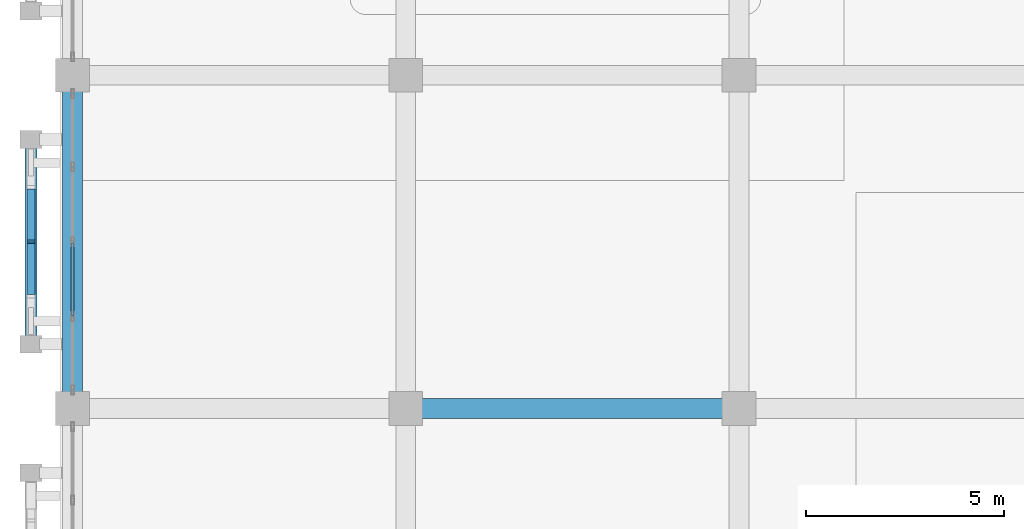
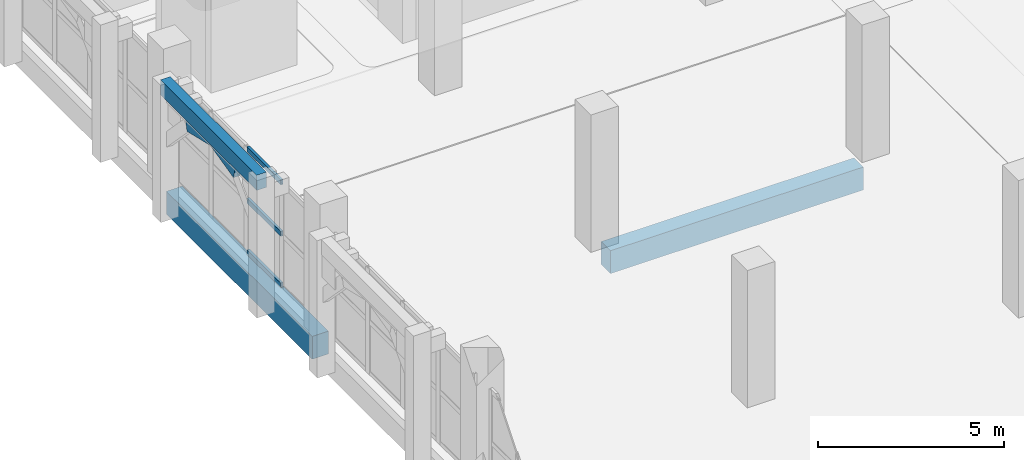
# One storey, part 47 of 137: 5 members, 3 beams, 1 element without a shape of its own.
"""IFC4 building model written with IfcOpenShell, lengths in metres."""

import ifcopenshell
import ifcopenshell.guid

model = None  # the IFC model being written
_history = None  # IfcOwnerHistory: only IFC2X3 demands one
_inside = {}  # id of a spatial element -> (the spatial element, [elements in it])
_under = {}  # id of a project, library or spatial element -> (it, [spatial elements below it])
_declared = {}  # id of a project -> (the project, [libraries it declares])
_typed = {}  # id of a type object -> (the type object, [elements of that type])
_made_of = {}  # id of a material, layer set ... -> (it, [elements and type objects made of it])


def new_model(schema):
    """Start an empty IFC model of exactly this schema.

    Asked for "IFC4X3", IfcOpenShell would pick the latest addendum, in which some entities
    have other attributes; the version numbers below select the first issue.
    IFC2X3 requires an IfcOwnerHistory on every rooted entity: one is made here for all.
    """
    global model, _history
    if schema == "IFC4X3":
        model = ifcopenshell.file(schema_version=(4, 3, 0, 0))
    else:
        model = ifcopenshell.file(schema=schema)
    _inside.clear()
    _under.clear()
    _declared.clear()
    _typed.clear()
    _made_of.clear()
    _history = None
    if model.schema == "IFC2X3":
        org = make("IfcOrganization", Name="unknown")
        user = make(
            "IfcPersonAndOrganization",
            ThePerson=make("IfcPerson", FamilyName="unknown"),
            TheOrganization=org,
        )
        app = make(
            "IfcApplication",
            ApplicationDeveloper=org,
            Version="unknown",
            ApplicationFullName="unknown",
            ApplicationIdentifier="unknown",
        )
        _history = make(
            "IfcOwnerHistory",
            OwningUser=user,
            OwningApplication=app,
            ChangeAction="ADDED",
            CreationDate=0,
        )
    return model


def make(cls, **values):
    """One entity of the class cls with the attributes given. An attribute that is None is left unset."""
    return model.create_entity(
        cls, **{name: value for name, value in values.items() if value is not None}
    )


def rooted(cls, **values):
    """An entity with a GlobalId (a new one), such as an element, a storey or a relation."""
    return make(cls, GlobalId=ifcopenshell.guid.new(), OwnerHistory=_history, **values)


def si_unit(unit_type, name, prefix=None):
    """IfcSIUnit, for example si_unit("LENGTHUNIT", "METRE", prefix="MILLI")."""
    return make("IfcSIUnit", UnitType=unit_type, Prefix=prefix, Name=name)


def assignment(units):
    """IfcUnitAssignment: the units of a project."""
    return None if units is None else make("IfcUnitAssignment", Units=units)


def point(xyz):
    """IfcCartesianPoint."""
    return None if xyz is None else make("IfcCartesianPoint", Coordinates=xyz)


def direction(xyz):
    """IfcDirection."""
    return None if xyz is None else make("IfcDirection", DirectionRatios=xyz)


def frame(location, z_axis=None, x_axis=None):
    """IfcAxis2Placement3D, a coordinate frame: its origin and axes. An axis left out is left unset."""
    return make(
        "IfcAxis2Placement3D",
        Location=point(location),
        Axis=direction(z_axis),
        RefDirection=direction(x_axis),
    )


def frame_2d(location, x_axis=None):
    """IfcAxis2Placement2D, a coordinate frame in the plane: its origin and x axis."""
    return make(
        "IfcAxis2Placement2D", Location=point(location), RefDirection=direction(x_axis)
    )


def origin():
    """The frame at (0, 0, 0) with its axes left unset."""
    return frame((0.0, 0.0, 0.0))


def origin_2d():
    """The frame at (0, 0) in the plane with its x axis left unset."""
    return frame_2d((0.0, 0.0))


def place(relative_to, where):
    """IfcLocalPlacement: puts the frame where relative to a parent placement (None: the world)."""
    return make(
        "IfcLocalPlacement", PlacementRelTo=relative_to, RelativePlacement=where
    )


def context(
    kind, dimensions, precision=None, world=None, true_north=None, identifier=None
):
    """IfcGeometricRepresentationContext, for example the 3D "Model" context."""
    return make(
        "IfcGeometricRepresentationContext",
        ContextIdentifier=identifier,
        ContextType=kind,
        CoordinateSpaceDimension=dimensions,
        Precision=precision,
        WorldCoordinateSystem=world,
        TrueNorth=true_north,
    )


def subcontext(parent, identifier, kind, view, scale=None):
    """IfcGeometricRepresentationSubContext, for example "Body" below "Model"."""
    return make(
        "IfcGeometricRepresentationSubContext",
        ContextIdentifier=identifier,
        ContextType=kind,
        ParentContext=parent,
        TargetScale=scale,
        TargetView=view,
    )


def project(units=None, contexts=None):
    """IfcProject with its units and contexts."""
    return rooted(
        "IfcProject",
        Name="project",
        RepresentationContexts=contexts,
        UnitsInContext=assignment(units),
    )


def spatial(cls, under=None, at=None, **own):
    """A site, building, storey or space (cls), placed at a placement, below another one or the project."""
    s = rooted(cls, ObjectPlacement=at, **own)
    if under is not None:
        _under.setdefault(under.id(), (under, []))[1].append(s)
    return s


def profile(cls, at=None, kind="AREA", **sizes):
    """A parametric profile (cls). Its sizes go by their IFC names, for example OverallWidth=200.0."""
    return make(cls, ProfileType=kind, Position=at, **sizes)


def rectangle(**sizes):
    """IfcRectangleProfileDef."""
    return profile("IfcRectangleProfileDef", **sizes)


def hollow_rectangle(**sizes):
    """IfcRectangleHollowProfileDef."""
    return profile("IfcRectangleHollowProfileDef", **sizes)


def extrude(swept, where, along, depth):
    """IfcExtrudedAreaSolid: the profile swept, set in the frame where, extruded along a direction by depth."""
    return make(
        "IfcExtrudedAreaSolid",
        SweptArea=swept,
        Position=where,
        ExtrudedDirection=direction(along),
        Depth=depth,
    )


def shape(context_of_items, identifier, shape_type, items):
    """IfcShapeRepresentation: the items that make up one representation, for example the "Body"."""
    return make(
        "IfcShapeRepresentation",
        ContextOfItems=context_of_items,
        RepresentationIdentifier=identifier,
        RepresentationType=shape_type,
        Items=items,
    )


def material(Name=None, Category=None):
    """IfcMaterial."""
    return make("IfcMaterial", Name=Name, Category=Category)


def layer(
    of_material, thickness, ventilated=None, Name=None, Category=None, Priority=None
):
    """IfcMaterialLayer: one layer of a wall or slab, of a material (None: an air gap)."""
    return make(
        "IfcMaterialLayer",
        Material=of_material,
        LayerThickness=thickness,
        IsVentilated=ventilated,
        Name=Name,
        Category=Category,
        Priority=Priority,
    )


def layer_set(layers, Name=None):
    """IfcMaterialLayerSet."""
    return make("IfcMaterialLayerSet", MaterialLayers=layers, LayerSetName=Name)


def material_profile(
    of_material, cross_section, Name=None, Category=None, Priority=None
):
    """IfcMaterialProfile: a cross section and its material."""
    return make(
        "IfcMaterialProfile",
        Name=Name,
        Material=of_material,
        Profile=cross_section,
        Priority=Priority,
        Category=Category,
    )


def profile_set(profiles, Name=None, composite=None):
    """IfcMaterialProfileSet."""
    return make(
        "IfcMaterialProfileSet",
        Name=Name,
        MaterialProfiles=profiles,
        CompositeProfile=composite,
    )


def made_of(thing, what):
    """Note that an element or type object is made of a material, layer set ...; save() writes the relation."""
    if what is not None:
        _made_of.setdefault(what.id(), (what, []))[1].append(thing)
    return thing


def type_object(cls, material=None, **own):
    """A type object (cls), such as IfcWallType, which elements share."""
    return made_of(rooted(cls, **own), material)


def element(
    cls,
    number,
    at=None,
    inside=None,
    cuts=None,
    type_object=None,
    material=None,
    context=None,
    identifier="Body",
    shape_type=None,
    held_by="IfcProductDefinitionShape",
    body=None,
    shapes=None,
    **own,
):
    """One element of the class cls, such as IfcWall. Its Tag is "e" and its number.

    at: its placement. inside: the storey or other place that contains it. cuts: it is an
    opening in that element (IfcRelVoidsElement). A single representation is given by context,
    identifier, shape_type and body (its items); several are given by shapes. held_by: the class
    of the entity that holds the representations. save() writes the other relations.
    """
    e = rooted(cls, Tag="e%d" % number, ObjectPlacement=at, **own)
    if body is not None:
        shapes = [shape(context, identifier, shape_type, body)]
    if shapes is not None:
        e.Representation = make(held_by, Representations=shapes)
    if inside is not None:
        _inside.setdefault(inside.id(), (inside, []))[1].append(e)
    if cuts is not None:
        rooted(
            "IfcRelVoidsElement", RelatingBuildingElement=cuts, RelatedOpeningElement=e
        )
    if type_object is not None:
        _typed.setdefault(type_object.id(), (type_object, []))[1].append(e)
    return made_of(e, material)


def aggregate(whole, parts):
    """IfcRelAggregates: a whole, such as a stair, and the parts it consists of."""
    return rooted("IfcRelAggregates", RelatingObject=whole, RelatedObjects=parts)


def save(model, path):
    """Write the relations noted so far, then the file.

    IfcRelAggregates (storeys below a building ...), IfcRelContainedInSpatialStructure (elements
    in a storey), IfcRelDefinesByType, IfcRelAssociatesMaterial and IfcRelDeclares: one each for
    every whole, place, type object, material and project.
    """
    for whole, parts in _under.values():
        aggregate(whole, parts)
    for where, things in _inside.values():
        rooted(
            "IfcRelContainedInSpatialStructure",
            RelatedElements=things,
            RelatingStructure=where,
        )
    for kind, things in _typed.values():
        rooted("IfcRelDefinesByType", RelatedObjects=things, RelatingType=kind)
    for what, things in _made_of.values():
        rooted("IfcRelAssociatesMaterial", RelatedObjects=things, RelatingMaterial=what)
    for by, libraries in _declared.values():
        rooted("IfcRelDeclares", RelatingContext=by, RelatedDefinitions=libraries)
    model.write(path)


model = new_model("IFC4")

# Units and contexts
model_context = context("Model", 3, precision=1e-05, world=origin(), true_north=direction((0.0, 1.0)))
body_context = subcontext(model_context, "Body", "Model", "MODEL_VIEW")
ifc_project = project(units=[si_unit("LENGTHUNIT", "METRE"), si_unit("AREAUNIT", "SQUARE_METRE"), si_unit("VOLUMEUNIT", "CUBIC_METRE"), si_unit("PLANEANGLEUNIT", "RADIAN"), si_unit("MASSUNIT", "GRAM", prefix="KILO")], contexts=[model_context])

# Site, building, storey
site_placement = place(None, origin())
site = spatial("IfcSite", under=ifc_project, at=site_placement, CompositionType="ELEMENT")
building_placement = place(site_placement, origin())
building = spatial("IfcBuilding", under=site, at=building_placement, Name="Xazarin Passage Department Store", CompositionType="ELEMENT")
storey_placement = place(building_placement, frame((0.0, 0.0, 5.39990234375)))
storey = spatial("IfcBuildingStorey", under=building, at=storey_placement, Name="L01", CompositionType="ELEMENT", Elevation=5.39990234375)

# Curtain wall, members
ifc_material_1 = material(Name="Bronze anodised aluminium", Category="aluminium")
ifc_layer = layer(ifc_material_1, 0.179931640625)
ifc_layer_set = layer_set([ifc_layer], Name="Bronze anodised aluminium")
curtain_wall_type = type_object("IfcCurtainWallType", Name="ARC-CW-VIT1", PredefinedType="NOTDEFINED", material=ifc_layer_set)
curtain_wall_placement = place(storey_placement, origin())
curtain_wall = element("IfcCurtainWall", 1, at=curtain_wall_placement, inside=storey, type_object=curtain_wall_type, Name="L01 V1 Curtain Wall 020", PredefinedType="NOTDEFINED")
ifc_material_profile_1 = material_profile(ifc_material_1, hollow_rectangle(XDim=0.074951171875, YDim=0.159912109375, WallThickness=0.00439453125, at=origin_2d()), Name="ALU 75x160")
ifc_profile_set_1 = profile_set([ifc_material_profile_1], Name="Bronze anodised aluminium")
member_type_1 = type_object("IfcMemberType", Name="ARC-CWT-75x160", PredefinedType="USERDEFINED", material=ifc_profile_set_1)
member_1_placement = place(storey_placement, frame((0.0, 70.35009765625, 0.03759765625), z_axis=(0.0, 1.0, 0.0), x_axis=(-1.0, 0.0, 0.0)))
member_1 = element("IfcMember", 2, at=member_1_placement, type_object=member_type_1, Name="CW1 transom 2.1", ObjectType="TRANSOM", PredefinedType="USERDEFINED", context=body_context, shape_type="SweptSolid", body=[
    extrude(hollow_rectangle(XDim=0.074951171875, YDim=0.159912109375, WallThickness=0.00439453125, at=origin_2d()), origin(), (0.0, 0.0, 1.0), 1.8125),
])
member_2_placement = place(storey_placement, frame((0.0, 70.35009765625, 1.72509765625), z_axis=(0.0, 1.0, 0.0), x_axis=(-1.0, 0.0, 0.0)))
member_2 = element("IfcMember", 3, at=member_2_placement, type_object=member_type_1, Name="CW1 transom 2.2", ObjectType="TRANSOM", PredefinedType="USERDEFINED", context=body_context, shape_type="SweptSolid", body=[
    extrude(hollow_rectangle(XDim=0.074951171875, YDim=0.159912109375, WallThickness=0.00439453125, at=origin_2d()), origin(), (0.0, 0.0, 1.0), 1.8125),
])
member_3_placement = place(storey_placement, frame((0.0, 70.35009765625, 3.41259765625), z_axis=(0.0, 1.0, 0.0), x_axis=(-1.0, 0.0, 0.0)))
member_3 = element("IfcMember", 4, at=member_3_placement, type_object=member_type_1, Name="CW1 transom 2.3", ObjectType="TRANSOM", PredefinedType="USERDEFINED", context=body_context, shape_type="SweptSolid", body=[
    extrude(hollow_rectangle(XDim=0.074951171875, YDim=0.159912109375, WallThickness=0.00439453125, at=origin_2d()), origin(), (0.0, 0.0, 1.0), 1.8125),
])
aggregate(curtain_wall, [member_1, member_2, member_3])

# Beams
ifc_material_2 = material(Name="Concrete C35/45", Category="concrete")
ifc_material_profile_2 = material_profile(ifc_material_2, rectangle(XDim=0.300048828125, YDim=0.5, at=origin_2d()), Name="RC 300x500")
ifc_profile_set_2 = profile_set([ifc_material_profile_2], Name="Concrete C35/45")
beam_type_1 = type_object("IfcBeamType", Name="STR-BM-LN300x500", PredefinedType="LINTEL", material=ifc_profile_set_2)
beam_placement = place(storey_placement, frame((-1.050048828125, 69.6201171875, 4.25), z_axis=(0.0, 1.0, 0.0), x_axis=(-1.0, 0.0, 0.0)))
element("IfcBeam", 5, at=beam_placement, inside=storey, type_object=beam_type_1, Name="L01 V1 Colonnade Spandrel Beam 010", PredefinedType="LINTEL", context=body_context, shape_type="SweptSolid", body=[
    extrude(rectangle(XDim=0.300048828125, YDim=0.5, at=origin_2d()), origin(), (0.0, 0.0, 1.0), 5.159912109375),
])
ifc_material_profile_3 = material_profile(ifc_material_2, rectangle(XDim=0.5, YDim=0.75, at=origin_2d()), Name="RC 500x750")
ifc_profile_set_3 = profile_set([ifc_material_profile_3], Name="Concrete C35/45")
beam_type_2 = type_object("IfcBeamType", Name="STR-BM-SP500x750", PredefinedType="SPANDREL", material=ifc_profile_set_3)
for number, where, z_axis, x_axis, name in (
    (6, (8.679931640625, 68.0, -0.6748046875), (1.0, 0.0, 0.0), (0.0, 1.0, 0.0), "L01 Grid Beam K/2-3"),
    (7, (0.0, 68.280029296875, -0.6748046875), (0.0, 1.0, 0.0), (-1.0, 0.0, 0.0), "L01 Grid Beam 1/K-L"),
):
    element("IfcBeam", number, at=place(storey_placement, frame(where, z_axis=z_axis, x_axis=x_axis)), inside=storey, type_object=beam_type_2, Name=name, PredefinedType="SPANDREL", context=body_context, shape_type="SweptSolid", body=[
        extrude(rectangle(XDim=0.5, YDim=0.75, at=origin_2d()), origin(), (0.0, 0.0, 1.0), 7.840087890625),
    ])

# Members
ifc_material_3 = material(Name="Concrete C40/50", Category="concrete")
ifc_material_profile_4 = material_profile(ifc_material_3, rectangle(XDim=0.199951171875, YDim=0.360107421875, at=origin_2d()), Name="RC 200x360")
ifc_profile_set_4 = profile_set([ifc_material_profile_4], Name="Concrete C40/50")
member_type_2 = type_object("IfcMemberType", Name="STR-MEM-ARC360", PredefinedType="CHORD", material=ifc_profile_set_4)
for number, where, z_axis, x_axis, name in (
    (8, (-1.050048828125, 70.909912109375, 3.7705078125), (0.0, 0.972393983317, 0.233345111818), (-1.0, 0.0, 0.0), "L01 V1 Pierced Lattice Curved Arch 010.2"),
    (9, (-1.050048828125, 72.199951171875, 4.080078125), (0.0, 0.972393983317, -0.233345111818), (-1.0, 0.0, 0.0), "L01 V1 Pierced Lattice Curved Arch 010.3"),
):
    element("IfcMember", number, at=place(storey_placement, frame(where, z_axis=z_axis, x_axis=x_axis)), inside=storey, type_object=member_type_2, Name=name, PredefinedType="CHORD", context=body_context, shape_type="SweptSolid", body=[
        extrude(rectangle(XDim=0.199951171875, YDim=0.360107421875, at=origin_2d()), origin(), (0.0, 0.0, 1.0), 1.32666015625),
    ])

save(model, "model.ifc")
